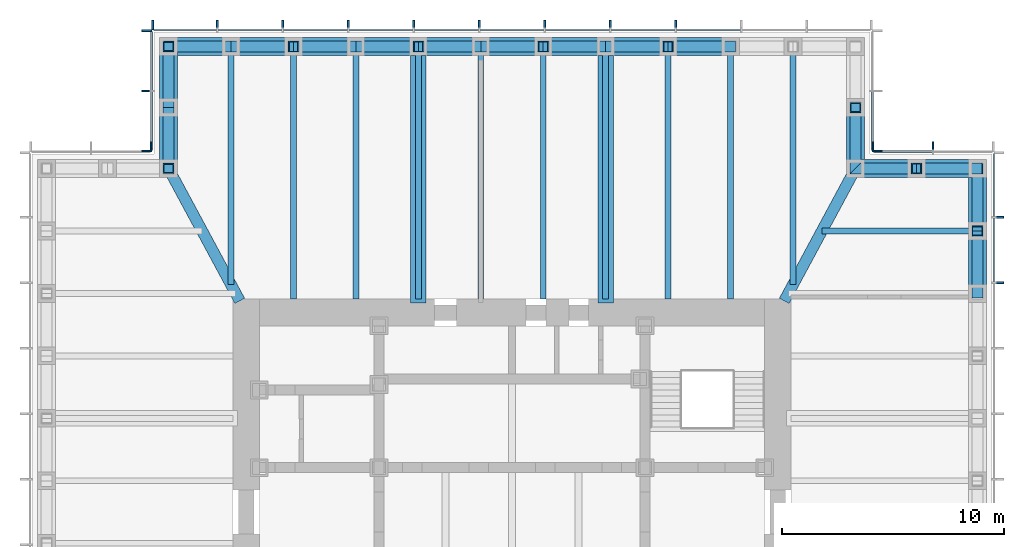
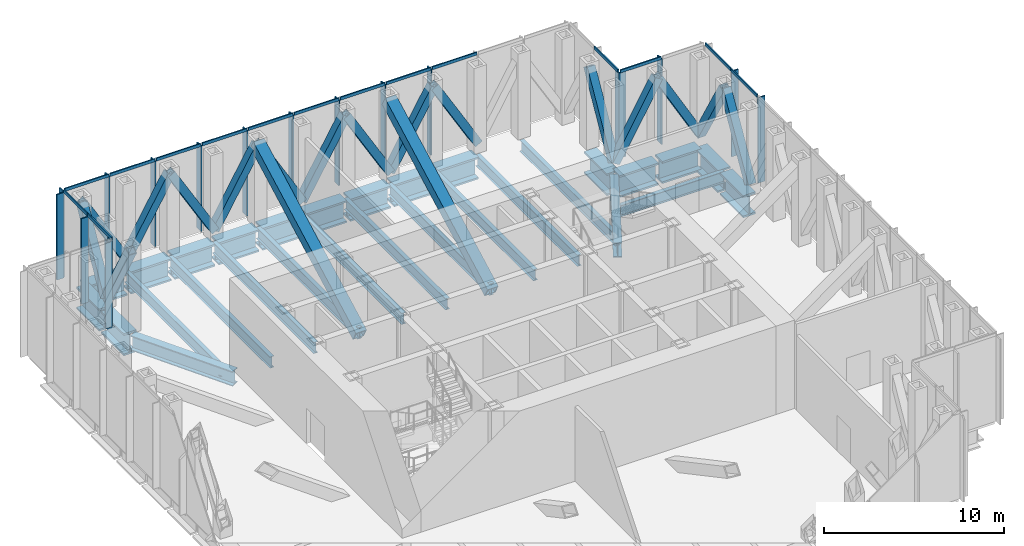
# One storey, part 4 of 12: 51 members, 29 beams, 6 elements without a shape of their own.
"""IFC4 building model written with IfcOpenShell, lengths in metres."""

import ifcopenshell
import ifcopenshell.guid

model = None  # the IFC model being written
_history = None  # IfcOwnerHistory: only IFC2X3 demands one
_inside = {}  # id of a spatial element -> (the spatial element, [elements in it])
_under = {}  # id of a project, library or spatial element -> (it, [spatial elements below it])
_declared = {}  # id of a project -> (the project, [libraries it declares])
_typed = {}  # id of a type object -> (the type object, [elements of that type])
_made_of = {}  # id of a material, layer set ... -> (it, [elements and type objects made of it])


def new_model(schema):
    """Start an empty IFC model of exactly this schema.

    Asked for "IFC4X3", IfcOpenShell would pick the latest addendum, in which some entities
    have other attributes; the version numbers below select the first issue.
    IFC2X3 requires an IfcOwnerHistory on every rooted entity: one is made here for all.
    """
    global model, _history
    if schema == "IFC4X3":
        model = ifcopenshell.file(schema_version=(4, 3, 0, 0))
    else:
        model = ifcopenshell.file(schema=schema)
    _inside.clear()
    _under.clear()
    _declared.clear()
    _typed.clear()
    _made_of.clear()
    _history = None
    if model.schema == "IFC2X3":
        org = make("IfcOrganization", Name="unknown")
        user = make(
            "IfcPersonAndOrganization",
            ThePerson=make("IfcPerson", FamilyName="unknown"),
            TheOrganization=org,
        )
        app = make(
            "IfcApplication",
            ApplicationDeveloper=org,
            Version="unknown",
            ApplicationFullName="unknown",
            ApplicationIdentifier="unknown",
        )
        _history = make(
            "IfcOwnerHistory",
            OwningUser=user,
            OwningApplication=app,
            ChangeAction="ADDED",
            CreationDate=0,
        )
    return model


def make(cls, **values):
    """One entity of the class cls with the attributes given. An attribute that is None is left unset."""
    return model.create_entity(
        cls, **{name: value for name, value in values.items() if value is not None}
    )


def rooted(cls, **values):
    """An entity with a GlobalId (a new one), such as an element, a storey or a relation."""
    return make(cls, GlobalId=ifcopenshell.guid.new(), OwnerHistory=_history, **values)


def si_unit(unit_type, name, prefix=None):
    """IfcSIUnit, for example si_unit("LENGTHUNIT", "METRE", prefix="MILLI")."""
    return make("IfcSIUnit", UnitType=unit_type, Prefix=prefix, Name=name)


def assignment(units):
    """IfcUnitAssignment: the units of a project."""
    return None if units is None else make("IfcUnitAssignment", Units=units)


def point(xyz):
    """IfcCartesianPoint."""
    return None if xyz is None else make("IfcCartesianPoint", Coordinates=xyz)


def direction(xyz):
    """IfcDirection."""
    return None if xyz is None else make("IfcDirection", DirectionRatios=xyz)


def frame(location, z_axis=None, x_axis=None):
    """IfcAxis2Placement3D, a coordinate frame: its origin and axes. An axis left out is left unset."""
    return make(
        "IfcAxis2Placement3D",
        Location=point(location),
        Axis=direction(z_axis),
        RefDirection=direction(x_axis),
    )


def frame_2d(location, x_axis=None):
    """IfcAxis2Placement2D, a coordinate frame in the plane: its origin and x axis."""
    return make(
        "IfcAxis2Placement2D", Location=point(location), RefDirection=direction(x_axis)
    )


def origin():
    """The frame at (0, 0, 0) with its axes left unset."""
    return frame((0.0, 0.0, 0.0))


def origin_2d():
    """The frame at (0, 0) in the plane with its x axis left unset."""
    return frame_2d((0.0, 0.0))


def place(relative_to, where):
    """IfcLocalPlacement: puts the frame where relative to a parent placement (None: the world)."""
    return make(
        "IfcLocalPlacement", PlacementRelTo=relative_to, RelativePlacement=where
    )


def context(
    kind, dimensions, precision=None, world=None, true_north=None, identifier=None
):
    """IfcGeometricRepresentationContext, for example the 3D "Model" context."""
    return make(
        "IfcGeometricRepresentationContext",
        ContextIdentifier=identifier,
        ContextType=kind,
        CoordinateSpaceDimension=dimensions,
        Precision=precision,
        WorldCoordinateSystem=world,
        TrueNorth=true_north,
    )


def subcontext(parent, identifier, kind, view, scale=None):
    """IfcGeometricRepresentationSubContext, for example "Body" below "Model"."""
    return make(
        "IfcGeometricRepresentationSubContext",
        ContextIdentifier=identifier,
        ContextType=kind,
        ParentContext=parent,
        TargetScale=scale,
        TargetView=view,
    )


def project(units=None, contexts=None):
    """IfcProject with its units and contexts."""
    return rooted(
        "IfcProject",
        Name="project",
        RepresentationContexts=contexts,
        UnitsInContext=assignment(units),
    )


def spatial(cls, under=None, at=None, **own):
    """A site, building, storey or space (cls), placed at a placement, below another one or the project."""
    s = rooted(cls, ObjectPlacement=at, **own)
    if under is not None:
        _under.setdefault(under.id(), (under, []))[1].append(s)
    return s


def profile(cls, at=None, kind="AREA", **sizes):
    """A parametric profile (cls). Its sizes go by their IFC names, for example OverallWidth=200.0."""
    return make(cls, ProfileType=kind, Position=at, **sizes)


def rectangle(**sizes):
    """IfcRectangleProfileDef."""
    return profile("IfcRectangleProfileDef", **sizes)


def hollow_rectangle(**sizes):
    """IfcRectangleHollowProfileDef."""
    return profile("IfcRectangleHollowProfileDef", **sizes)


def i_section(**sizes):
    """IfcIShapeProfileDef."""
    return profile("IfcIShapeProfileDef", **sizes)


def extrude(swept, where, along, depth):
    """IfcExtrudedAreaSolid: the profile swept, set in the frame where, extruded along a direction by depth."""
    return make(
        "IfcExtrudedAreaSolid",
        SweptArea=swept,
        Position=where,
        ExtrudedDirection=direction(along),
        Depth=depth,
    )


def shape(context_of_items, identifier, shape_type, items):
    """IfcShapeRepresentation: the items that make up one representation, for example the "Body"."""
    return make(
        "IfcShapeRepresentation",
        ContextOfItems=context_of_items,
        RepresentationIdentifier=identifier,
        RepresentationType=shape_type,
        Items=items,
    )


def material(Name=None, Category=None):
    """IfcMaterial."""
    return make("IfcMaterial", Name=Name, Category=Category)


def material_profile(
    of_material, cross_section, Name=None, Category=None, Priority=None
):
    """IfcMaterialProfile: a cross section and its material."""
    return make(
        "IfcMaterialProfile",
        Name=Name,
        Material=of_material,
        Profile=cross_section,
        Priority=Priority,
        Category=Category,
    )


def profile_set(profiles, Name=None, composite=None):
    """IfcMaterialProfileSet."""
    return make(
        "IfcMaterialProfileSet",
        Name=Name,
        MaterialProfiles=profiles,
        CompositeProfile=composite,
    )


def made_of(thing, what):
    """Note that an element or type object is made of a material, layer set ...; save() writes the relation."""
    if what is not None:
        _made_of.setdefault(what.id(), (what, []))[1].append(thing)
    return thing


def type_object(cls, material=None, **own):
    """A type object (cls), such as IfcWallType, which elements share."""
    return made_of(rooted(cls, **own), material)


def element(
    cls,
    number,
    at=None,
    inside=None,
    cuts=None,
    type_object=None,
    material=None,
    context=None,
    identifier="Body",
    shape_type=None,
    held_by="IfcProductDefinitionShape",
    body=None,
    shapes=None,
    **own,
):
    """One element of the class cls, such as IfcWall. Its Tag is "e" and its number.

    at: its placement. inside: the storey or other place that contains it. cuts: it is an
    opening in that element (IfcRelVoidsElement). A single representation is given by context,
    identifier, shape_type and body (its items); several are given by shapes. held_by: the class
    of the entity that holds the representations. save() writes the other relations.
    """
    e = rooted(cls, Tag="e%d" % number, ObjectPlacement=at, **own)
    if body is not None:
        shapes = [shape(context, identifier, shape_type, body)]
    if shapes is not None:
        e.Representation = make(held_by, Representations=shapes)
    if inside is not None:
        _inside.setdefault(inside.id(), (inside, []))[1].append(e)
    if cuts is not None:
        rooted(
            "IfcRelVoidsElement", RelatingBuildingElement=cuts, RelatedOpeningElement=e
        )
    if type_object is not None:
        _typed.setdefault(type_object.id(), (type_object, []))[1].append(e)
    return made_of(e, material)


def aggregate(whole, parts):
    """IfcRelAggregates: a whole, such as a stair, and the parts it consists of."""
    return rooted("IfcRelAggregates", RelatingObject=whole, RelatedObjects=parts)


def save(model, path):
    """Write the relations noted so far, then the file.

    IfcRelAggregates (storeys below a building ...), IfcRelContainedInSpatialStructure (elements
    in a storey), IfcRelDefinesByType, IfcRelAssociatesMaterial and IfcRelDeclares: one each for
    every whole, place, type object, material and project.
    """
    for whole, parts in _under.values():
        aggregate(whole, parts)
    for where, things in _inside.values():
        rooted(
            "IfcRelContainedInSpatialStructure",
            RelatedElements=things,
            RelatingStructure=where,
        )
    for kind, things in _typed.values():
        rooted("IfcRelDefinesByType", RelatedObjects=things, RelatingType=kind)
    for what, things in _made_of.values():
        rooted("IfcRelAssociatesMaterial", RelatedObjects=things, RelatingMaterial=what)
    for by, libraries in _declared.values():
        rooted("IfcRelDeclares", RelatingContext=by, RelatedDefinitions=libraries)
    model.write(path)


model = new_model("IFC4")

# Units and contexts
model_context = context("Model", 3, precision=1e-05, world=origin(), true_north=direction((0.0, 1.0)))
body_context = subcontext(model_context, "Body", "Model", "MODEL_VIEW")
ifc_project = project(units=[si_unit("LENGTHUNIT", "METRE"), si_unit("AREAUNIT", "SQUARE_METRE"), si_unit("VOLUMEUNIT", "CUBIC_METRE"), si_unit("PLANEANGLEUNIT", "RADIAN"), si_unit("MASSUNIT", "GRAM", prefix="KILO")], contexts=[model_context])

# Site, building, storey
site_placement = place(None, origin())
site = spatial("IfcSite", under=ifc_project, at=site_placement, CompositionType="ELEMENT")
building_placement = place(site_placement, origin())
building = spatial("IfcBuilding", under=site, at=building_placement, Name="Daluyong Arena Tower", CompositionType="ELEMENT")
storey_placement = place(building_placement, frame((0.0, 0.0, 244.300048828125)))
storey = spatial("IfcBuildingStorey", under=building, at=storey_placement, Name="L55", CompositionType="ELEMENT", Elevation=244.300048828125)

# Members
ifc_material_1 = material(Name="Steel ASTM A572 Grade 50", Category="steel")
ifc_material_profile_1 = material_profile(ifc_material_1, hollow_rectangle(XDim=0.5, YDim=0.5, WallThickness=0.04, at=origin_2d()))
ifc_profile_set_1 = profile_set([ifc_material_profile_1], Name="Steel ASTM A572 Grade 50")
member_type_1 = type_object("IfcMemberType", Name="Belt truss diagonal BX500X40", PredefinedType="BRACE", material=ifc_profile_set_1)
for number, where, z_axis, x_axis, name in (
    (1, (77.0, 89.863525390625, 0.5), (0.0, 0.503220397931, 0.864158105387), (-1.0, 0.0, 0.0), "belt truss diagonal BT2"),
    (2, (77.0, 95.5, 0.5), (0.0, -0.503187844061, 0.86417706148), (1.0, 0.0, 0.0), "belt truss diagonal BT2"),
):
    element("IfcMember", number, at=place(storey_placement, frame(where, z_axis=z_axis, x_axis=x_axis)), inside=storey, type_object=member_type_1, Name=name, PredefinedType="BRACE", context=body_context, shape_type="SweptSolid", body=[
        extrude(hollow_rectangle(XDim=0.5, YDim=0.5, WallThickness=0.04, at=origin_2d()), origin(), (0.0, 0.0, 1.0), 5.6005859375),
    ])
for number, where, z_axis, x_axis, name in (
    (3, (77.0, 95.5, 0.5), (-0.494021463923, 0.0, 0.869449707104), (0.0, -1.0, 0.0), "belt truss diagonal BT2"),
    (4, (71.5, 95.5, 0.5), (0.494021463923, 0.0, 0.869449707104), (0.0, 1.0, 0.0), "belt truss diagonal BT2"),
    (5, (71.5, 95.5, 0.5), (0.0, 0.494021463923, 0.869449707104), (-1.0, 0.0, 0.0), "belt truss diagonal BT2"),
):
    element("IfcMember", number, at=place(storey_placement, frame(where, z_axis=z_axis, x_axis=x_axis)), inside=storey, type_object=member_type_1, Name=name, PredefinedType="BRACE", context=body_context, shape_type="SweptSolid", body=[
        extrude(hollow_rectangle(XDim=0.5, YDim=0.5, WallThickness=0.04, at=origin_2d()), origin(), (0.0, 0.0, 1.0), 5.566650390625),
    ])
for number, where, z_axis, x_axis, name in (
    (6, (65.863525390625, 101.0, 0.5), (-0.503187844061, 0.0, 0.86417706148), (0.0, -1.0, 0.0), "belt truss diagonal BT2"),
    (7, (60.227294921875, 101.0, 0.5), (0.503187844061, 0.0, 0.86417706148), (0.0, 1.0, 0.0), "belt truss diagonal BT2"),
    (8, (60.227294921875, 101.0, 0.5), (-0.503187844061, 0.0, 0.86417706148), (0.0, -1.0, 0.0), "belt truss diagonal BT2"),
    (9, (54.5908203125, 101.0, 0.5), (0.503220397931, 0.0, 0.864158105387), (0.0, 1.0, 0.0), "belt truss diagonal BT2"),
    (10, (54.5908203125, 101.0, 0.5), (-0.503187844061, 0.0, 0.86417706148), (0.0, -1.0, 0.0), "belt truss diagonal BT2"),
    (11, (48.95458984375, 101.0, 0.5), (0.503187844061, 0.0, 0.86417706148), (0.0, 1.0, 0.0), "belt truss diagonal BT2"),
    (12, (48.95458984375, 101.0, 0.5), (-0.503187844061, 0.0, 0.86417706148), (0.0, -1.0, 0.0), "belt truss diagonal BT2"),
    (13, (43.318115234375, 101.0, 0.5), (0.503220397931, 0.0, 0.864158105387), (0.0, 1.0, 0.0), "belt truss diagonal BT2"),
    (14, (43.318115234375, 101.0, 0.5), (-0.503187844061, 0.0, 0.86417706148), (0.0, -1.0, 0.0), "belt truss diagonal BT2"),
):
    element("IfcMember", number, at=place(storey_placement, frame(where, z_axis=z_axis, x_axis=x_axis)), inside=storey, type_object=member_type_1, Name=name, PredefinedType="BRACE", context=body_context, shape_type="SweptSolid", body=[
        extrude(hollow_rectangle(XDim=0.5, YDim=0.5, WallThickness=0.04, at=origin_2d()), origin(), (0.0, 0.0, 1.0), 5.6005859375),
    ])
for number, where, z_axis, x_axis, name in (
    (15, (40.5, 98.25, 0.5), (0.0, 0.494021463923, 0.869449707104), (-1.0, 0.0, 0.0), "belt truss diagonal BT2"),
    (16, (40.5, 98.25, 0.5), (0.0, -0.494021463923, 0.869449707104), (1.0, 0.0, 0.0), "belt truss diagonal BT2"),
):
    element("IfcMember", number, at=place(storey_placement, frame(where, z_axis=z_axis, x_axis=x_axis)), inside=storey, type_object=member_type_1, Name=name, PredefinedType="BRACE", context=body_context, shape_type="SweptSolid", body=[
        extrude(hollow_rectangle(XDim=0.5, YDim=0.5, WallThickness=0.04, at=origin_2d()), origin(), (0.0, 0.0, 1.0), 5.566650390625),
    ])

# Curtain wall, members
ifc_material_2 = material(Name="Bronze anodised aluminium and glass", Category="aluminium")
curtain_wall_type = type_object("IfcCurtainWallType", Name="Curtain wall CW6", PredefinedType="USERDEFINED", material=ifc_material_2)
curtain_wall_1_placement = place(storey_placement, origin())
curtain_wall_1 = element("IfcCurtainWall", 17, at=curtain_wall_1_placement, inside=storey, type_object=curtain_wall_type, Name="curtain wall L55 E", ObjectType="UNITISED CURTAIN WALL", PredefinedType="USERDEFINED")
ifc_material_3 = material(Name="Bronze anodised aluminium fin", Category="aluminium")
ifc_material_profile_2 = material_profile(ifc_material_3, rectangle(XDim=0.449951171875, YDim=0.080078125, at=origin_2d()))
ifc_profile_set_2 = profile_set([ifc_material_profile_2], Name="Bronze anodised aluminium fin")
member_type_2 = type_object("IfcMemberType", Name="CW6 bronze fin 450x80", PredefinedType="MULLION", material=ifc_profile_set_2)
member_1_placement = place(storey_placement, frame((77.97509765625, 90.3408203125, 0.0), z_axis=(0.0, 0.0, 1.0), x_axis=(-1.0, 0.0, 0.0)))
member_1 = element("IfcMember", 18, at=member_1_placement, type_object=member_type_2, Name="curtain wall L55 E fin 10", PredefinedType="MULLION", context=body_context, shape_type="SweptSolid", body=[
    extrude(rectangle(XDim=0.449951171875, YDim=0.080078125, at=origin_2d()), origin(), (0.0, 0.0, 1.0), 5.800048828125),
])
member_2_placement = place(storey_placement, frame((77.97509765625, 93.29541015625, 0.0), z_axis=(0.0, 0.0, 1.0), x_axis=(-1.0, 0.0, 0.0)))
member_2 = element("IfcMember", 19, at=member_2_placement, type_object=member_type_2, Name="curtain wall L55 E fin 11", PredefinedType="MULLION", context=body_context, shape_type="SweptSolid", body=[
    extrude(rectangle(XDim=0.449951171875, YDim=0.080078125, at=origin_2d()), origin(), (0.0, 0.0, 1.0), 5.800048828125),
])

curtain_wall_2_placement = place(storey_placement, origin())
curtain_wall_2 = element("IfcCurtainWall", 20, at=curtain_wall_2_placement, inside=storey, type_object=curtain_wall_type, Name="curtain wall L55 NE-N", ObjectType="UNITISED CURTAIN WALL", PredefinedType="USERDEFINED")
member_3_placement = place(storey_placement, frame((75.0, 96.47509765625, 0.0), z_axis=(0.0, 0.0, 1.0), x_axis=(0.0, -1.0, 0.0)))
member_3 = element("IfcMember", 21, at=member_3_placement, type_object=member_type_2, Name="curtain wall L55 NE-N fin 2", PredefinedType="MULLION", context=body_context, shape_type="SweptSolid", body=[
    extrude(rectangle(XDim=0.449951171875, YDim=0.080078125, at=origin_2d()), origin(), (0.0, 0.0, 1.0), 5.800048828125),
])
member_4_placement = place(storey_placement, frame((72.2900390625, 96.47509765625, 0.0), z_axis=(0.0, 0.0, 1.0), x_axis=(0.0, -1.0, 0.0)))
member_4 = element("IfcMember", 22, at=member_4_placement, type_object=member_type_2, Name="curtain wall L55 NE-N fin 3", PredefinedType="MULLION", context=body_context, shape_type="SweptSolid", body=[
    extrude(rectangle(XDim=0.449951171875, YDim=0.080078125, at=origin_2d()), origin(), (0.0, 0.0, 1.0), 5.800048828125),
])

# Curtain wall, member
curtain_wall_3_placement = place(storey_placement, origin())
curtain_wall_3 = element("IfcCurtainWall", 23, at=curtain_wall_3_placement, inside=storey, type_object=curtain_wall_type, Name="curtain wall L55 NE-E", ObjectType="UNITISED CURTAIN WALL", PredefinedType="USERDEFINED")
member_5_placement = place(storey_placement, frame((72.47509765625, 96.2900390625, 0.0), z_axis=(0.0, 0.0, 1.0), x_axis=(-1.0, 0.0, 0.0)))
member_5 = element("IfcMember", 24, at=member_5_placement, type_object=member_type_2, Name="curtain wall L55 NE-E fin 1", PredefinedType="MULLION", context=body_context, shape_type="SweptSolid", body=[
    extrude(rectangle(XDim=0.449951171875, YDim=0.080078125, at=origin_2d()), origin(), (0.0, 0.0, 1.0), 5.800048828125),
])

# Curtain wall, members
curtain_wall_4_placement = place(storey_placement, origin())
curtain_wall_4 = element("IfcCurtainWall", 25, at=curtain_wall_4_placement, inside=storey, type_object=curtain_wall_type, Name="curtain wall L55 N", ObjectType="UNITISED CURTAIN WALL", PredefinedType="USERDEFINED")
member_6_placement = place(storey_placement, frame((63.386474609375, 101.97509765625, 0.0), z_axis=(0.0, 0.0, 1.0), x_axis=(0.0, -1.0, 0.0)))
member_6 = element("IfcMember", 26, at=member_6_placement, type_object=member_type_2, Name="curtain wall L55 N fin 4", PredefinedType="MULLION", context=body_context, shape_type="SweptSolid", body=[
    extrude(rectangle(XDim=0.449951171875, YDim=0.080078125, at=origin_2d()), origin(), (0.0, 0.0, 1.0), 5.800048828125),
])
member_7_placement = place(storey_placement, frame((60.431884765625, 101.97509765625, 0.0), z_axis=(0.0, 0.0, 1.0), x_axis=(0.0, -1.0, 0.0)))
member_7 = element("IfcMember", 27, at=member_7_placement, type_object=member_type_2, Name="curtain wall L55 N fin 5", PredefinedType="MULLION", context=body_context, shape_type="SweptSolid", body=[
    extrude(rectangle(XDim=0.449951171875, YDim=0.080078125, at=origin_2d()), origin(), (0.0, 0.0, 1.0), 5.800048828125),
])
member_8_placement = place(storey_placement, frame((57.477294921875, 101.97509765625, 0.0), z_axis=(0.0, 0.0, 1.0), x_axis=(0.0, -1.0, 0.0)))
member_8 = element("IfcMember", 28, at=member_8_placement, type_object=member_type_2, Name="curtain wall L55 N fin 6", PredefinedType="MULLION", context=body_context, shape_type="SweptSolid", body=[
    extrude(rectangle(XDim=0.449951171875, YDim=0.080078125, at=origin_2d()), origin(), (0.0, 0.0, 1.0), 5.800048828125),
])
member_9_placement = place(storey_placement, frame((54.522705078125, 101.97509765625, 0.0), z_axis=(0.0, 0.0, 1.0), x_axis=(0.0, -1.0, 0.0)))
member_9 = element("IfcMember", 29, at=member_9_placement, type_object=member_type_2, Name="curtain wall L55 N fin 7", PredefinedType="MULLION", context=body_context, shape_type="SweptSolid", body=[
    extrude(rectangle(XDim=0.449951171875, YDim=0.080078125, at=origin_2d()), origin(), (0.0, 0.0, 1.0), 5.800048828125),
])
member_10_placement = place(storey_placement, frame((51.568115234375, 101.97509765625, 0.0), z_axis=(0.0, 0.0, 1.0), x_axis=(0.0, -1.0, 0.0)))
member_10 = element("IfcMember", 30, at=member_10_placement, type_object=member_type_2, Name="curtain wall L55 N fin 8", PredefinedType="MULLION", context=body_context, shape_type="SweptSolid", body=[
    extrude(rectangle(XDim=0.449951171875, YDim=0.080078125, at=origin_2d()), origin(), (0.0, 0.0, 1.0), 5.800048828125),
])
member_11_placement = place(storey_placement, frame((48.613525390625, 101.97509765625, 0.0), z_axis=(0.0, 0.0, 1.0), x_axis=(0.0, -1.0, 0.0)))
member_11 = element("IfcMember", 31, at=member_11_placement, type_object=member_type_2, Name="curtain wall L55 N fin 9", PredefinedType="MULLION", context=body_context, shape_type="SweptSolid", body=[
    extrude(rectangle(XDim=0.449951171875, YDim=0.080078125, at=origin_2d()), origin(), (0.0, 0.0, 1.0), 5.800048828125),
])
member_12_placement = place(storey_placement, frame((45.6591796875, 101.97509765625, 0.0), z_axis=(0.0, 0.0, 1.0), x_axis=(0.0, -1.0, 0.0)))
member_12 = element("IfcMember", 32, at=member_12_placement, type_object=member_type_2, Name="curtain wall L55 N fin 10", PredefinedType="MULLION", context=body_context, shape_type="SweptSolid", body=[
    extrude(rectangle(XDim=0.449951171875, YDim=0.080078125, at=origin_2d()), origin(), (0.0, 0.0, 1.0), 5.800048828125),
])
member_13_placement = place(storey_placement, frame((42.70458984375, 101.97509765625, 0.0), z_axis=(0.0, 0.0, 1.0), x_axis=(0.0, -1.0, 0.0)))
member_13 = element("IfcMember", 33, at=member_13_placement, type_object=member_type_2, Name="curtain wall L55 N fin 11", PredefinedType="MULLION", context=body_context, shape_type="SweptSolid", body=[
    extrude(rectangle(XDim=0.449951171875, YDim=0.080078125, at=origin_2d()), origin(), (0.0, 0.0, 1.0), 5.800048828125),
])
member_14_placement = place(storey_placement, frame((39.7900390625, 101.97509765625, 0.0), z_axis=(0.0, 0.0, 1.0), x_axis=(0.0, -1.0, 0.0)))
member_14 = element("IfcMember", 34, at=member_14_placement, type_object=member_type_2, Name="curtain wall L55 N fin 12", PredefinedType="MULLION", context=body_context, shape_type="SweptSolid", body=[
    extrude(rectangle(XDim=0.449951171875, YDim=0.080078125, at=origin_2d()), origin(), (0.0, 0.0, 1.0), 5.800048828125),
])

curtain_wall_5_placement = place(storey_placement, origin())
curtain_wall_5 = element("IfcCurtainWall", 35, at=curtain_wall_5_placement, inside=storey, type_object=curtain_wall_type, Name="curtain wall L55 NW-W", ObjectType="UNITISED CURTAIN WALL", PredefinedType="USERDEFINED")
member_15_placement = place(storey_placement, frame((39.52490234375, 101.7099609375, 0.0), z_axis=(0.0, 0.0, 1.0), x_axis=(1.0, 0.0, 0.0)))
member_15 = element("IfcMember", 36, at=member_15_placement, type_object=member_type_2, Name="curtain wall L55 NW-W fin 1", PredefinedType="MULLION", context=body_context, shape_type="SweptSolid", body=[
    extrude(rectangle(XDim=0.449951171875, YDim=0.080078125, at=origin_2d()), origin(), (0.0, 0.0, 1.0), 5.800048828125),
])
member_16_placement = place(storey_placement, frame((39.52490234375, 99.0, 0.0), z_axis=(0.0, 0.0, 1.0), x_axis=(1.0, 0.0, 0.0)))
member_16 = element("IfcMember", 37, at=member_16_placement, type_object=member_type_2, Name="curtain wall L55 NW-W fin 2", PredefinedType="MULLION", context=body_context, shape_type="SweptSolid", body=[
    extrude(rectangle(XDim=0.449951171875, YDim=0.080078125, at=origin_2d()), origin(), (0.0, 0.0, 1.0), 5.800048828125),
])
member_17_placement = place(storey_placement, frame((39.52490234375, 96.2900390625, 0.0), z_axis=(0.0, 0.0, 1.0), x_axis=(1.0, 0.0, 0.0)))
member_17 = element("IfcMember", 38, at=member_17_placement, type_object=member_type_2, Name="curtain wall L55 NW-W fin 3", PredefinedType="MULLION", context=body_context, shape_type="SweptSolid", body=[
    extrude(rectangle(XDim=0.449951171875, YDim=0.080078125, at=origin_2d()), origin(), (0.0, 0.0, 1.0), 5.800048828125),
])

# Curtain wall, member
curtain_wall_6_placement = place(storey_placement, origin())
curtain_wall_6 = element("IfcCurtainWall", 39, at=curtain_wall_6_placement, inside=storey, type_object=curtain_wall_type, Name="curtain wall L55 NW-N", ObjectType="UNITISED CURTAIN WALL", PredefinedType="USERDEFINED")
member_18_placement = place(storey_placement, frame((39.7099609375, 96.47509765625, 0.0), z_axis=(0.0, 0.0, 1.0), x_axis=(0.0, -1.0, 0.0)))
member_18 = element("IfcMember", 40, at=member_18_placement, type_object=member_type_2, Name="curtain wall L55 NW-N fin 1", PredefinedType="MULLION", context=body_context, shape_type="SweptSolid", body=[
    extrude(rectangle(XDim=0.449951171875, YDim=0.080078125, at=origin_2d()), origin(), (0.0, 0.0, 1.0), 5.800048828125),
])
aggregate(curtain_wall_6, [member_18])

# Member
ifc_material_4 = material(Name="Bronze anodised aluminium", Category="aluminium")
ifc_material_profile_3 = material_profile(ifc_material_4, rectangle(XDim=0.080078125, YDim=0.199951171875, at=origin_2d()))
ifc_profile_set_3 = profile_set([ifc_material_profile_3], Name="Bronze anodised aluminium")
member_type_3 = type_object("IfcMemberType", Name="CW6 stack transom 200x80", PredefinedType="USERDEFINED", material=ifc_profile_set_3)
member_19_placement = place(storey_placement, frame((77.75, 90.380859375, 5.89990234375), z_axis=(0.0, 1.0, 0.0), x_axis=(-1.0, 0.0, 0.0)))
member_19 = element("IfcMember", 41, at=member_19_placement, type_object=member_type_3, Name="curtain wall L55 E transom 10", ObjectType="TRANSOM", PredefinedType="USERDEFINED", context=body_context, shape_type="SweptSolid", body=[
    extrude(rectangle(XDim=0.080078125, YDim=0.199951171875, at=origin_2d()), origin(), (0.0, 0.0, 1.0), 2.87451171875),
])

member_20_placement = place(storey_placement, frame((77.75, 93.33544921875, 5.89990234375), z_axis=(0.0, 1.0, 0.0), x_axis=(-1.0, 0.0, 0.0)))
member_20 = element("IfcMember", 42, at=member_20_placement, type_object=member_type_3, Name="curtain wall L55 E transom 11", ObjectType="TRANSOM", PredefinedType="USERDEFINED", context=body_context, shape_type="SweptSolid", body=[
    extrude(rectangle(XDim=0.080078125, YDim=0.199951171875, at=origin_2d()), origin(), (0.0, 0.0, 1.0), 2.83447265625),
])

aggregate(curtain_wall_1, [member_1, member_2, member_19, member_20])

member_21_placement = place(storey_placement, frame((74.9599609375, 96.25, 5.89990234375), z_axis=(-1.0, 0.0, 0.0), x_axis=(0.0, -1.0, 0.0)))
member_21 = element("IfcMember", 43, at=member_21_placement, type_object=member_type_3, Name="curtain wall L55 NE-N transom 2", ObjectType="TRANSOM", PredefinedType="USERDEFINED", context=body_context, shape_type="SweptSolid", body=[
    extrude(rectangle(XDim=0.080078125, YDim=0.199951171875, at=origin_2d()), origin(), (0.0, 0.0, 1.0), 2.6298828125),
])

aggregate(curtain_wall_2, [member_3, member_4, member_21])

member_22_placement = place(storey_placement, frame((72.25, 96.330078125, 5.89990234375), z_axis=(0.0, 1.0, 0.0), x_axis=(-1.0, 0.0, 0.0)))
member_22 = element("IfcMember", 44, at=member_22_placement, type_object=member_type_3, Name="curtain wall L55 NE-E transom 1", ObjectType="TRANSOM", PredefinedType="USERDEFINED", context=body_context, shape_type="SweptSolid", body=[
    extrude(rectangle(XDim=0.080078125, YDim=0.199951171875, at=origin_2d()), origin(), (0.0, 0.0, 1.0), 2.6298828125),
])

aggregate(curtain_wall_3, [member_5, member_22])

member_23_placement = place(storey_placement, frame((66.301025390625, 101.75, 5.89990234375), z_axis=(-1.0, 0.0, 0.0), x_axis=(0.0, -1.0, 0.0)))
member_23 = element("IfcMember", 45, at=member_23_placement, type_object=member_type_3, Name="curtain wall L55 N transom 3", ObjectType="TRANSOM", PredefinedType="USERDEFINED", context=body_context, shape_type="SweptSolid", body=[
    extrude(rectangle(XDim=0.080078125, YDim=0.199951171875, at=origin_2d()), origin(), (0.0, 0.0, 1.0), 2.874755859375),
])

member_24_placement = place(storey_placement, frame((63.346435546875, 101.75, 5.89990234375), z_axis=(-1.0, 0.0, 0.0), x_axis=(0.0, -1.0, 0.0)))
member_24 = element("IfcMember", 46, at=member_24_placement, type_object=member_type_3, Name="curtain wall L55 N transom 4", ObjectType="TRANSOM", PredefinedType="USERDEFINED", context=body_context, shape_type="SweptSolid", body=[
    extrude(rectangle(XDim=0.080078125, YDim=0.199951171875, at=origin_2d()), origin(), (0.0, 0.0, 1.0), 2.87451171875),
])

member_25_placement = place(storey_placement, frame((60.391845703125, 101.75, 5.89990234375), z_axis=(-1.0, 0.0, 0.0), x_axis=(0.0, -1.0, 0.0)))
member_25 = element("IfcMember", 47, at=member_25_placement, type_object=member_type_3, Name="curtain wall L55 N transom 5", ObjectType="TRANSOM", PredefinedType="USERDEFINED", context=body_context, shape_type="SweptSolid", body=[
    extrude(rectangle(XDim=0.080078125, YDim=0.199951171875, at=origin_2d()), origin(), (0.0, 0.0, 1.0), 2.87451171875),
])

member_26_placement = place(storey_placement, frame((57.437255859375, 101.75, 5.89990234375), z_axis=(-1.0, 0.0, 0.0), x_axis=(0.0, -1.0, 0.0)))
member_26 = element("IfcMember", 48, at=member_26_placement, type_object=member_type_3, Name="curtain wall L55 N transom 6", ObjectType="TRANSOM", PredefinedType="USERDEFINED", context=body_context, shape_type="SweptSolid", body=[
    extrude(rectangle(XDim=0.080078125, YDim=0.199951171875, at=origin_2d()), origin(), (0.0, 0.0, 1.0), 2.87451171875),
])

member_27_placement = place(storey_placement, frame((54.482666015625, 101.75, 5.89990234375), z_axis=(-1.0, 0.0, 0.0), x_axis=(0.0, -1.0, 0.0)))
member_27 = element("IfcMember", 49, at=member_27_placement, type_object=member_type_3, Name="curtain wall L55 N transom 7", ObjectType="TRANSOM", PredefinedType="USERDEFINED", context=body_context, shape_type="SweptSolid", body=[
    extrude(rectangle(XDim=0.080078125, YDim=0.199951171875, at=origin_2d()), origin(), (0.0, 0.0, 1.0), 2.87451171875),
])

member_28_placement = place(storey_placement, frame((51.528076171875, 101.75, 5.89990234375), z_axis=(-1.0, 0.0, 0.0), x_axis=(0.0, -1.0, 0.0)))
member_28 = element("IfcMember", 50, at=member_28_placement, type_object=member_type_3, Name="curtain wall L55 N transom 8", ObjectType="TRANSOM", PredefinedType="USERDEFINED", context=body_context, shape_type="SweptSolid", body=[
    extrude(rectangle(XDim=0.080078125, YDim=0.199951171875, at=origin_2d()), origin(), (0.0, 0.0, 1.0), 2.87451171875),
])

member_29_placement = place(storey_placement, frame((48.57373046875, 101.75, 5.89990234375), z_axis=(-1.0, 0.0, 0.0), x_axis=(0.0, -1.0, 0.0)))
member_29 = element("IfcMember", 51, at=member_29_placement, type_object=member_type_3, Name="curtain wall L55 N transom 9", ObjectType="TRANSOM", PredefinedType="USERDEFINED", context=body_context, shape_type="SweptSolid", body=[
    extrude(rectangle(XDim=0.080078125, YDim=0.199951171875, at=origin_2d()), origin(), (0.0, 0.0, 1.0), 2.874755859375),
])

member_30_placement = place(storey_placement, frame((45.619140625, 101.75, 5.89990234375), z_axis=(-1.0, 0.0, 0.0), x_axis=(0.0, -1.0, 0.0)))
member_30 = element("IfcMember", 52, at=member_30_placement, type_object=member_type_3, Name="curtain wall L55 N transom 10", ObjectType="TRANSOM", PredefinedType="USERDEFINED", context=body_context, shape_type="SweptSolid", body=[
    extrude(rectangle(XDim=0.080078125, YDim=0.199951171875, at=origin_2d()), origin(), (0.0, 0.0, 1.0), 2.87451171875),
])

member_31_placement = place(storey_placement, frame((42.66455078125, 101.75, 5.89990234375), z_axis=(-1.0, 0.0, 0.0), x_axis=(0.0, -1.0, 0.0)))
member_31 = element("IfcMember", 53, at=member_31_placement, type_object=member_type_3, Name="curtain wall L55 N transom 11", ObjectType="TRANSOM", PredefinedType="USERDEFINED", context=body_context, shape_type="SweptSolid", body=[
    extrude(rectangle(XDim=0.080078125, YDim=0.199951171875, at=origin_2d()), origin(), (0.0, 0.0, 1.0), 2.83447265625),
])

aggregate(curtain_wall_4, [member_6, member_7, member_8, member_9, member_10, member_11, member_12, member_13, member_14, member_23, member_24, member_25, member_26, member_27, member_28, member_29, member_30, member_31])

member_32_placement = place(storey_placement, frame((39.75, 101.669921875, 5.89990234375), z_axis=(0.0, -1.0, 0.0), x_axis=(1.0, 0.0, 0.0)))
member_32 = element("IfcMember", 54, at=member_32_placement, type_object=member_type_3, Name="curtain wall L55 NW-W transom 1", ObjectType="TRANSOM", PredefinedType="USERDEFINED", context=body_context, shape_type="SweptSolid", body=[
    extrude(rectangle(XDim=0.080078125, YDim=0.199951171875, at=origin_2d()), origin(), (0.0, 0.0, 1.0), 2.6298828125),
])

member_33_placement = place(storey_placement, frame((39.75, 98.9599609375, 5.89990234375), z_axis=(0.0, -1.0, 0.0), x_axis=(1.0, 0.0, 0.0)))
member_33 = element("IfcMember", 55, at=member_33_placement, type_object=member_type_3, Name="curtain wall L55 NW-W transom 2", ObjectType="TRANSOM", PredefinedType="USERDEFINED", context=body_context, shape_type="SweptSolid", body=[
    extrude(rectangle(XDim=0.080078125, YDim=0.199951171875, at=origin_2d()), origin(), (0.0, 0.0, 1.0), 2.6298828125),
])

aggregate(curtain_wall_5, [member_15, member_16, member_17, member_32, member_33])

# Beams
ifc_material_5 = material(Name="Steel ASTM A572 Grade 50", Category="steel")
ifc_material_profile_4 = material_profile(ifc_material_5, i_section(OverallWidth=0.5, OverallDepth=1.0, WebThickness=0.03, FlangeThickness=0.06, at=origin_2d()))
ifc_profile_set_4 = profile_set([ifc_material_profile_4], Name="Steel ASTM A572 Grade 50")
beam_type_1 = type_object("IfcBeamType", Name="Corner girder TB1000X500", PredefinedType="BEAM", material=ifc_profile_set_4)
for number, where, z_axis, x_axis, name in (
    (56, (71.445556640625, 95.398681640625, -0.75), (-0.474119475266, -0.880460517669, 0.0), (0.880460517669, -0.474119475266, 0.0), "corner girder DG2"),
    (57, (40.554443359375, 95.398681640625, -0.75), (0.474119475266, -0.880460517669, 0.0), (0.880460517669, 0.474119475266, 0.0), "corner girder DG2"),
):
    element("IfcBeam", number, at=place(storey_placement, frame(where, z_axis=z_axis, x_axis=x_axis)), inside=storey, type_object=beam_type_1, Name=name, PredefinedType="BEAM", context=body_context, shape_type="SweptSolid", body=[
        extrude(i_section(OverallWidth=0.5, OverallDepth=1.0, WebThickness=0.03, FlangeThickness=0.06, at=origin_2d()), origin(), (0.0, 0.0, 1.0), 6.66748046875),
    ])
ifc_material_6 = material(Name="Steel ASTM A992 Grade 50", Category="steel")
ifc_material_profile_5 = material_profile(ifc_material_6, i_section(OverallWidth=0.2666015625, OverallDepth=0.761962890625, WebThickness=0.014404296875, FlangeThickness=0.021484375, at=origin_2d()))
ifc_profile_set_5 = profile_set([ifc_material_profile_5], Name="Steel ASTM A992 Grade 50")
beam_type_2 = type_object("IfcBeamType", Name="Floor beam W30X116", PredefinedType="BEAM", material=ifc_profile_set_5)
beam_1_placement = place(storey_placement, frame((76.885009765625, 92.681884765625, -0.631103515625), z_axis=(-1.0, 0.0, 0.0), x_axis=(0.0, -1.0, 0.0)))
element("IfcBeam", 58, at=beam_1_placement, inside=storey, type_object=beam_type_2, Name="floor beam FB4", PredefinedType="BEAM", context=body_context, shape_type="SweptSolid", body=[
    extrude(i_section(OverallWidth=0.2666015625, OverallDepth=0.761962890625, WebThickness=0.014404296875, FlangeThickness=0.021484375, at=origin_2d()), origin(), (0.0, 0.0, 1.0), 6.902587890625),
])
beam_2_placement = place(storey_placement, frame((68.681884765625, 100.885009765625, -0.631103515625), z_axis=(0.0, -1.0, 0.0), x_axis=(1.0, 0.0, 0.0)))
element("IfcBeam", 59, at=beam_2_placement, inside=storey, type_object=beam_type_2, Name="floor beam FB4", PredefinedType="BEAM", context=body_context, shape_type="SweptSolid", body=[
    extrude(i_section(OverallWidth=0.2666015625, OverallDepth=0.761962890625, WebThickness=0.014404296875, FlangeThickness=0.021484375, at=origin_2d()), origin(), (0.0, 0.0, 1.0), 10.618896484375),
])
for number, where, z_axis, x_axis, name in (
    (60, (65.863525390625, 100.885009765625, -0.631103515625), (0.0, -1.0, 0.0), (1.0, 0.0, 0.0), "floor beam FB4"),
    (61, (63.04541015625, 100.885009765625, -0.631103515625), (0.0, -1.0, 0.0), (1.0, 0.0, 0.0), "floor beam FB4"),
    (62, (60.227294921875, 100.885009765625, -0.631103515625), (0.0, -1.0, 0.0), (1.0, 0.0, 0.0), "floor beam FB4"),
    (63, (57.4091796875, 100.885009765625, -0.631103515625), (0.0, -1.0, 0.0), (1.0, 0.0, 0.0), "floor beam FB4"),
    (64, (54.5908203125, 100.885009765625, -0.631103515625), (0.0, -1.0, 0.0), (1.0, 0.0, 0.0), "floor beam FB4"),
    (65, (51.772705078125, 100.885009765625, -0.631103515625), (0.0, -1.0, 0.0), (1.0, 0.0, 0.0), "floor beam FB4"),
    (66, (48.95458984375, 100.885009765625, -0.631103515625), (0.0, -1.0, 0.0), (1.0, 0.0, 0.0), "floor beam FB4"),
    (67, (46.136474609375, 100.885009765625, -0.631103515625), (0.0, -1.0, 0.0), (1.0, 0.0, 0.0), "floor beam FB4"),
):
    element("IfcBeam", number, at=place(storey_placement, frame(where, z_axis=z_axis, x_axis=x_axis)), inside=storey, type_object=beam_type_2, Name=name, PredefinedType="BEAM", context=body_context, shape_type="SweptSolid", body=[
        extrude(i_section(OverallWidth=0.2666015625, OverallDepth=0.761962890625, WebThickness=0.014404296875, FlangeThickness=0.021484375, at=origin_2d()), origin(), (0.0, 0.0, 1.0), 11.284912109375),
    ])
beam_3_placement = place(storey_placement, frame((43.318115234375, 100.885009765625, -0.631103515625), z_axis=(0.0, -1.0, 0.0), x_axis=(1.0, 0.0, 0.0)))
element("IfcBeam", 68, at=beam_3_placement, inside=storey, type_object=beam_type_2, Name="floor beam FB4", PredefinedType="BEAM", context=body_context, shape_type="SweptSolid", body=[
    extrude(i_section(OverallWidth=0.2666015625, OverallDepth=0.761962890625, WebThickness=0.014404296875, FlangeThickness=0.021484375, at=origin_2d()), origin(), (0.0, 0.0, 1.0), 10.618896484375),
])

# Members
ifc_material_7 = material(Name="Steel ASTM A572 Grade 50", Category="steel")
ifc_material_profile_6 = material_profile(ifc_material_7, hollow_rectangle(XDim=0.699951171875, YDim=0.699951171875, WallThickness=0.06, at=origin_2d()))
ifc_profile_set_6 = profile_set([ifc_material_profile_6], Name="Steel ASTM A572 Grade 50")
member_type_4 = type_object("IfcMemberType", Name="Outrigger diagonal BX700X60", PredefinedType="BRACE", material=ifc_profile_set_6)
for number, where, z_axis, x_axis, name in (
    (69, (51.772705078125, 89.60009765625, -0.75), (0.0, 0.88203481797, 0.471184231367), (-1.0, 0.0, 0.0), "outrigger diagonal OT1"),
    (70, (60.227294921875, 89.60009765625, -0.75), (0.0, 0.88203481797, 0.471184231367), (-1.0, 0.0, 0.0), "outrigger diagonal OT1"),
):
    element("IfcMember", number, at=place(storey_placement, frame(where, z_axis=z_axis, x_axis=x_axis)), inside=storey, type_object=member_type_4, Name=name, PredefinedType="BRACE", context=body_context, shape_type="SweptSolid", body=[
        extrude(hollow_rectangle(XDim=0.699951171875, YDim=0.699951171875, WallThickness=0.06, at=origin_2d()), origin(), (0.0, 0.0, 1.0), 12.924560546875),
    ])

# Beams
ifc_material_8 = material(Name="Steel ASTM A588 Grade 50", Category="steel")
ifc_material_profile_7 = material_profile(ifc_material_8, i_section(OverallWidth=0.800048828125, OverallDepth=1.5, WebThickness=0.05, FlangeThickness=0.12, at=origin_2d()))
ifc_profile_set_7 = profile_set([ifc_material_profile_7], Name="Steel ASTM A588 Grade 50")
beam_type_3 = type_object("IfcBeamType", Name="Spandrel Z3 PG1500X800", PredefinedType="SPANDREL", material=ifc_profile_set_7)
beam_4_placement = place(storey_placement, frame((77.0, 89.978515625, -1.0), z_axis=(0.0, 1.0, 0.0), x_axis=(-1.0, 0.0, 0.0)))
element("IfcBeam", 71, at=beam_4_placement, inside=storey, type_object=beam_type_3, Name="spandrel z3 SB7", PredefinedType="SPANDREL", context=body_context, shape_type="SweptSolid", body=[
    extrude(i_section(OverallWidth=0.800048828125, OverallDepth=1.5, WebThickness=0.05, FlangeThickness=0.12, at=origin_2d()), origin(), (0.0, 0.0, 1.0), 2.58837890625),
])
beam_5_placement = place(storey_placement, frame((77.0, 92.796875, -1.0), z_axis=(0.0, 1.0, 0.0), x_axis=(-1.0, 0.0, 0.0)))
element("IfcBeam", 72, at=beam_5_placement, inside=storey, type_object=beam_type_3, Name="spandrel z3 SB7", PredefinedType="SPANDREL", context=body_context, shape_type="SweptSolid", body=[
    extrude(i_section(OverallWidth=0.800048828125, OverallDepth=1.5, WebThickness=0.05, FlangeThickness=0.12, at=origin_2d()), origin(), (0.0, 0.0, 1.0), 2.588134765625),
])
for number, where, z_axis, x_axis, name in (
    (73, (76.885009765625, 95.5, -1.0), (-1.0, 0.0, 0.0), (0.0, -1.0, 0.0), "spandrel z3 SB7"),
    (74, (74.135009765625, 95.5, -1.0), (-1.0, 0.0, 0.0), (0.0, -1.0, 0.0), "spandrel z3 SB7"),
    (75, (71.5, 95.614990234375, -1.0), (0.0, 1.0, 0.0), (-1.0, 0.0, 0.0), "spandrel z3 SB7"),
):
    element("IfcBeam", number, at=place(storey_placement, frame(where, z_axis=z_axis, x_axis=x_axis)), inside=storey, type_object=beam_type_3, Name=name, PredefinedType="SPANDREL", context=body_context, shape_type="SweptSolid", body=[
        extrude(i_section(OverallWidth=0.800048828125, OverallDepth=1.5, WebThickness=0.05, FlangeThickness=0.12, at=origin_2d()), origin(), (0.0, 0.0, 1.0), 2.52001953125),
    ])
for number, where, z_axis, x_axis, name in (
    (76, (65.74853515625, 101.0, -1.0), (-1.0, 0.0, 0.0), (0.0, -1.0, 0.0), "spandrel z3 SB7"),
    (77, (62.930419921875, 101.0, -1.0), (-1.0, 0.0, 0.0), (0.0, -1.0, 0.0), "spandrel z3 SB7"),
    (78, (60.1123046875, 101.0, -1.0), (-1.0, 0.0, 0.0), (0.0, -1.0, 0.0), "spandrel z3 SB7"),
):
    element("IfcBeam", number, at=place(storey_placement, frame(where, z_axis=z_axis, x_axis=x_axis)), inside=storey, type_object=beam_type_3, Name=name, PredefinedType="SPANDREL", context=body_context, shape_type="SweptSolid", body=[
        extrude(i_section(OverallWidth=0.800048828125, OverallDepth=1.5, WebThickness=0.05, FlangeThickness=0.12, at=origin_2d()), origin(), (0.0, 0.0, 1.0), 2.588134765625),
    ])
beam_6_placement = place(storey_placement, frame((57.294189453125, 101.0, -1.0), z_axis=(-1.0, 0.0, 0.0), x_axis=(0.0, -1.0, 0.0)))
element("IfcBeam", 79, at=beam_6_placement, inside=storey, type_object=beam_type_3, Name="spandrel z3 SB7", PredefinedType="SPANDREL", context=body_context, shape_type="SweptSolid", body=[
    extrude(i_section(OverallWidth=0.800048828125, OverallDepth=1.5, WebThickness=0.05, FlangeThickness=0.12, at=origin_2d()), origin(), (0.0, 0.0, 1.0), 2.58837890625),
])
for number, where, z_axis, x_axis, name in (
    (80, (54.475830078125, 101.0, -1.0), (-1.0, 0.0, 0.0), (0.0, -1.0, 0.0), "spandrel z3 SB7"),
    (81, (51.65771484375, 101.0, -1.0), (-1.0, 0.0, 0.0), (0.0, -1.0, 0.0), "spandrel z3 SB7"),
    (82, (48.839599609375, 101.0, -1.0), (-1.0, 0.0, 0.0), (0.0, -1.0, 0.0), "spandrel z3 SB7"),
):
    element("IfcBeam", number, at=place(storey_placement, frame(where, z_axis=z_axis, x_axis=x_axis)), inside=storey, type_object=beam_type_3, Name=name, PredefinedType="SPANDREL", context=body_context, shape_type="SweptSolid", body=[
        extrude(i_section(OverallWidth=0.800048828125, OverallDepth=1.5, WebThickness=0.05, FlangeThickness=0.12, at=origin_2d()), origin(), (0.0, 0.0, 1.0), 2.588134765625),
    ])
beam_7_placement = place(storey_placement, frame((46.021484375, 101.0, -1.0), z_axis=(-1.0, 0.0, 0.0), x_axis=(0.0, -1.0, 0.0)))
element("IfcBeam", 83, at=beam_7_placement, inside=storey, type_object=beam_type_3, Name="spandrel z3 SB7", PredefinedType="SPANDREL", context=body_context, shape_type="SweptSolid", body=[
    extrude(i_section(OverallWidth=0.800048828125, OverallDepth=1.5, WebThickness=0.05, FlangeThickness=0.12, at=origin_2d()), origin(), (0.0, 0.0, 1.0), 2.58837890625),
])
beam_8_placement = place(storey_placement, frame((43.203125, 101.0, -1.0), z_axis=(-1.0, 0.0, 0.0), x_axis=(0.0, -1.0, 0.0)))
element("IfcBeam", 84, at=beam_8_placement, inside=storey, type_object=beam_type_3, Name="spandrel z3 SB7", PredefinedType="SPANDREL", context=body_context, shape_type="SweptSolid", body=[
    extrude(i_section(OverallWidth=0.800048828125, OverallDepth=1.5, WebThickness=0.05, FlangeThickness=0.12, at=origin_2d()), origin(), (0.0, 0.0, 1.0), 2.588134765625),
])
for number, where, z_axis, x_axis, name in (
    (85, (40.5, 100.885009765625, -1.0), (0.0, -1.0, 0.0), (1.0, 0.0, 0.0), "spandrel z3 SB7"),
    (86, (40.5, 98.135009765625, -1.0), (0.0, -1.0, 0.0), (1.0, 0.0, 0.0), "spandrel z3 SB7"),
):
    element("IfcBeam", number, at=place(storey_placement, frame(where, z_axis=z_axis, x_axis=x_axis)), inside=storey, type_object=beam_type_3, Name=name, PredefinedType="SPANDREL", context=body_context, shape_type="SweptSolid", body=[
        extrude(i_section(OverallWidth=0.800048828125, OverallDepth=1.5, WebThickness=0.05, FlangeThickness=0.12, at=origin_2d()), origin(), (0.0, 0.0, 1.0), 2.52001953125),
    ])

save(model, "model.ifc")
